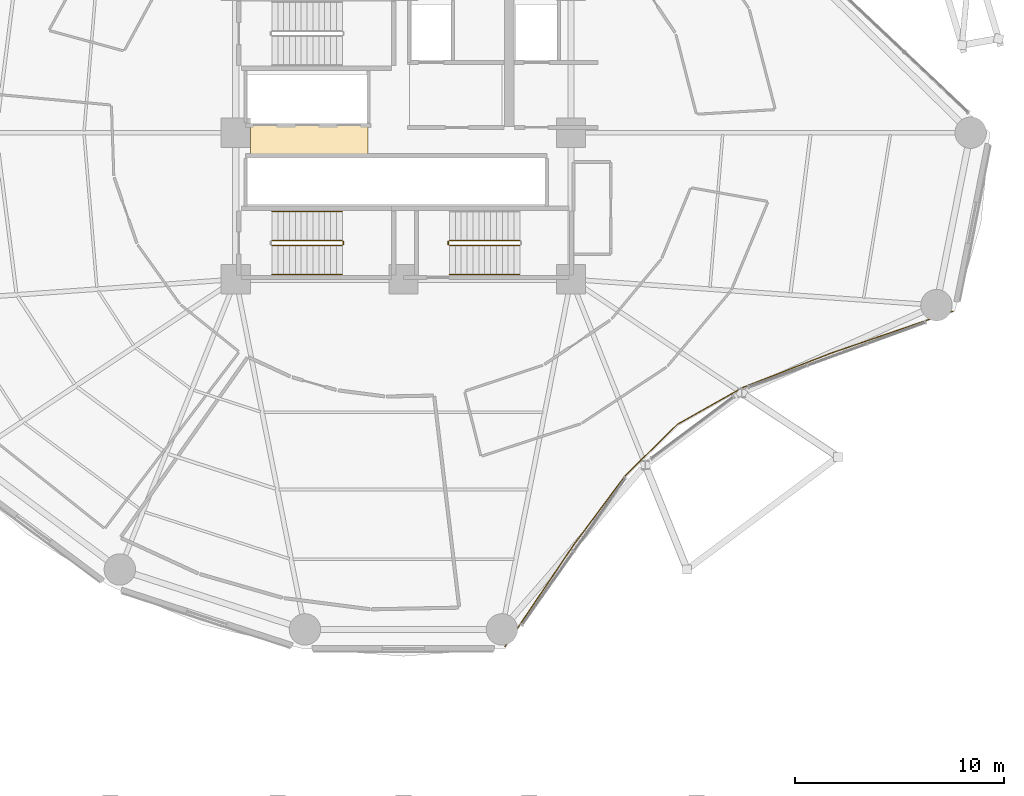
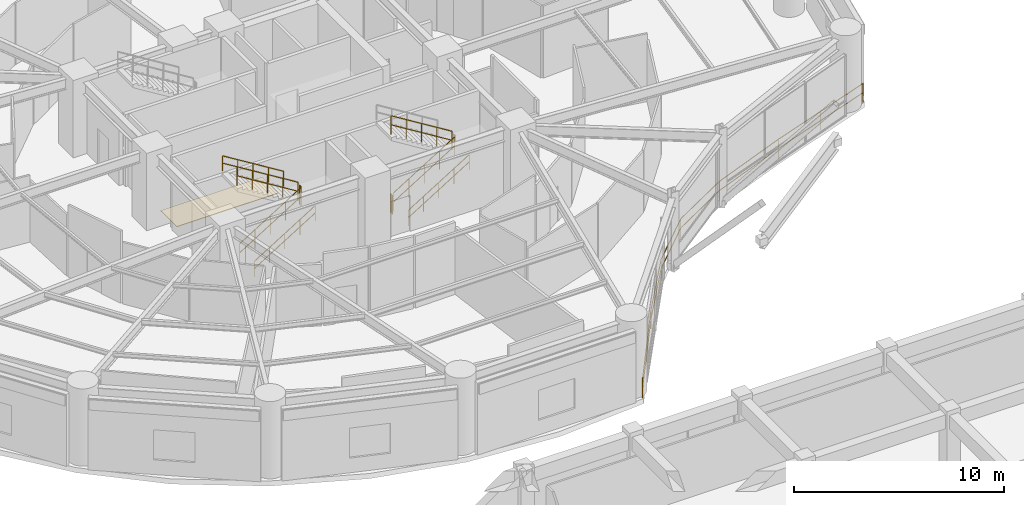
# One storey, part 52 of 55: 10 railings, 1 covering.
"""IFC4 building model written with IfcOpenShell, lengths in metres."""

from ifc_helpers import new_model, si_unit, direction, frame, origin, origin_2d, place, context, subcontext, project, spatial, polyline, rectangle, outline, extrude, source, transform, mapped, material, layer, layer_set, type_object, element, save


model = new_model("IFC4")

# Units and contexts
model_context = context("Model", 3, precision=1e-05, world=origin(), true_north=direction((0.0, 1.0)))
body_context = subcontext(model_context, "Body", "Model", "MODEL_VIEW")
ifc_project = project(units=[si_unit("LENGTHUNIT", "METRE"), si_unit("AREAUNIT", "SQUARE_METRE"), si_unit("VOLUMEUNIT", "CUBIC_METRE"), si_unit("PLANEANGLEUNIT", "RADIAN"), si_unit("MASSUNIT", "GRAM", prefix="KILO")], contexts=[model_context])

# Site, building, storey
site_placement = place(None, origin())
site = spatial("IfcSite", under=ifc_project, at=site_placement, CompositionType="ELEMENT")
building_placement = place(site_placement, origin())
building = spatial("IfcBuilding", under=site, at=building_placement, Name="Kelanora Arch Commons", CompositionType="ELEMENT")
storey_placement = place(building_placement, frame((0.0, 0.0, 4.5)))
storey = spatial("IfcBuildingStorey", under=building, at=storey_placement, Name="L01", CompositionType="ELEMENT", Elevation=4.5)

# Railings
ifc_material_1 = material(Name="Laminated glass and stainless steel balustrade", Category="steel")
railing_type_1 = type_object("IfcRailingType", Name="RAIL-BAL-112", PredefinedType="BALUSTRADE", material=ifc_material_1)
railing_1_placement = place(storey_placement, frame((78.8466796875, 33.458251953125, 0.0)))
element("IfcRailing", 1, at=railing_1_placement, inside=storey, type_object=railing_type_1, Name="Concave Courtyard Overlook Balustrade L01-SE", PredefinedType="BALUSTRADE", context=body_context, shape_type="SweptSolid", body=[
    extrude(outline(polyline([(0.02392578125, 0.0), (0.011962890625, 0.020751953125), (-0.011962890625, 0.020751953125), (-0.02392578125, 0.0), (-0.011962890625, -0.020751953125), (0.011962890625, -0.020751953125), (0.02392578125, 0.0)])), frame((0.0, 0.0, 1.09619140625), z_axis=(0.559131486201, 0.829078995716, 0.0), x_axis=(-0.829078995716, 0.559131486201, 0.0)), (0.0, 0.0, 1.0), 5.749267578125),
    extrude(outline(polyline([(0.02392578125, 0.0), (0.011962890625, 0.020751953125), (-0.011962890625, 0.020751953125), (-0.02392578125, 0.0), (-0.011962890625, -0.020751953125), (0.011962890625, -0.020751953125), (0.02392578125, 0.0)])), frame((0.0, 0.0, 0.56005859375), z_axis=(0.559131486201, 0.829078995716, 0.0), x_axis=(-0.829078995716, 0.559131486201, 0.0)), (0.0, 0.0, 1.0), 5.749267578125),
    extrude(outline(polyline([(0.02392578125, 0.0), (0.011962890625, 0.020751953125), (-0.011962890625, 0.020751953125), (-0.02392578125, 0.0), (-0.011962890625, -0.020751953125), (0.011962890625, -0.020751953125), (0.02392578125, 0.0)])), frame((3.214599609375, 4.7666015625, 1.09619140625), z_axis=(0.596176535715, 0.802853372829, 0.0), x_axis=(-0.802853372829, 0.596176535715, 0.0)), (0.0, 0.0, 1.0), 4.2373046875),
    extrude(outline(polyline([(0.02392578125, 0.0), (0.011962890625, 0.020751953125), (-0.011962890625, 0.020751953125), (-0.02392578125, 0.0), (-0.011962890625, -0.020751953125), (0.011962890625, -0.020751953125), (0.02392578125, 0.0)])), frame((3.214599609375, 4.7666015625, 0.56005859375), z_axis=(0.596176535715, 0.802853372829, 0.0), x_axis=(-0.802853372829, 0.596176535715, 0.0)), (0.0, 0.0, 1.0), 4.2373046875),
    extrude(outline(polyline([(0.02392578125, 0.0), (0.011962890625, 0.020751953125), (-0.011962890625, 0.020751953125), (-0.02392578125, 0.0), (-0.011962890625, -0.020751953125), (0.011962890625, -0.020751953125), (0.02392578125, 0.0)])), frame((5.74072265625, 8.16845703125, 1.09619140625), z_axis=(0.713532255383, 0.700622380836, 0.0), x_axis=(-0.700622380836, 0.713532255383, 0.0)), (0.0, 0.0, 1.0), 3.49853515625),
    extrude(outline(polyline([(0.02392578125, 0.0), (0.011962890625, 0.020751953125), (-0.011962890625, 0.020751953125), (-0.02392578125, 0.0), (-0.011962890625, -0.020751953125), (0.011962890625, -0.020751953125), (0.02392578125, 0.0)])), frame((5.74072265625, 8.16845703125, 0.56005859375), z_axis=(0.713532255383, 0.700622380836, 0.0), x_axis=(-0.700622380836, 0.713532255383, 0.0)), (0.0, 0.0, 1.0), 3.49853515625),
    extrude(outline(polyline([(0.02392578125, 0.0), (0.011962890625, 0.020751953125), (-0.011962890625, 0.020751953125), (-0.02392578125, 0.0), (-0.011962890625, -0.020751953125), (0.011962890625, -0.020751953125), (0.02392578125, 0.0)])), frame((8.237060546875, 10.61962890625, 1.09619140625), z_axis=(0.871394516136, 0.490582915772, 0.0), x_axis=(-0.490582915772, 0.871394516136, 0.0)), (0.0, 0.0, 1.0), 3.60302734375),
    extrude(outline(polyline([(0.02392578125, 0.0), (0.011962890625, 0.020751953125), (-0.011962890625, 0.020751953125), (-0.02392578125, 0.0), (-0.011962890625, -0.020751953125), (0.011962890625, -0.020751953125), (0.02392578125, 0.0)])), frame((8.237060546875, 10.61962890625, 0.56005859375), z_axis=(0.871394516136, 0.490582915772, 0.0), x_axis=(-0.490582915772, 0.871394516136, 0.0)), (0.0, 0.0, 1.0), 3.60302734375),
    extrude(outline(polyline([(0.02392578125, 0.0), (0.011962890625, 0.020751953125), (-0.011962890625, 0.020751953125), (-0.02392578125, 0.0), (-0.011962890625, -0.020751953125), (0.011962890625, -0.020751953125), (0.02392578125, 0.0)])), frame((11.376708984375, 12.38720703125, 1.09619140625), z_axis=(0.932102395452, 0.362194870744, 0.0), x_axis=(-0.362194870744, 0.932102395452, 0.0)), (0.0, 0.0, 1.0), 4.499267578125),
    extrude(outline(polyline([(0.02392578125, 0.0), (0.011962890625, 0.020751953125), (-0.011962890625, 0.020751953125), (-0.02392578125, 0.0), (-0.011962890625, -0.020751953125), (0.011962890625, -0.020751953125), (0.02392578125, 0.0)])), frame((11.376708984375, 12.38720703125, 0.56005859375), z_axis=(0.932102395452, 0.362194870744, 0.0), x_axis=(-0.362194870744, 0.932102395452, 0.0)), (0.0, 0.0, 1.0), 4.499267578125),
    extrude(outline(polyline([(0.02392578125, 0.0), (0.011962890625, 0.020751953125), (-0.011962890625, 0.020751953125), (-0.02392578125, 0.0), (-0.011962890625, -0.020751953125), (0.011962890625, -0.020751953125), (0.02392578125, 0.0)])), frame((15.570556640625, 14.016845703125, 1.09619140625), z_axis=(0.945734245853, 0.324941127315, 0.0), x_axis=(-0.324941127315, 0.945734245853, 0.0)), (0.0, 0.0, 1.0), 6.15185546875),
    extrude(outline(polyline([(0.02392578125, 0.0), (0.011962890625, 0.020751953125), (-0.011962890625, 0.020751953125), (-0.02392578125, 0.0), (-0.011962890625, -0.020751953125), (0.011962890625, -0.020751953125), (0.02392578125, 0.0)])), frame((15.570556640625, 14.016845703125, 0.56005859375), z_axis=(0.945734245853, 0.324941127315, 0.0), x_axis=(-0.324941127315, 0.945734245853, 0.0)), (0.0, 0.0, 1.0), 6.15185546875),
    extrude(outline(polyline([(0.02099609375, 0.0), (0.010498046875, 0.01806640625), (-0.010498046875, 0.01806640625), (-0.02099609375, 0.0), (-0.010498046875, -0.01806640625), (0.010498046875, -0.01806640625), (0.02099609375, 0.0)])), origin(), (0.0, 0.0, 1.0), 1.072021484375),
    extrude(outline(polyline([(0.02099609375, 0.0), (0.010498046875, 0.01806640625), (-0.010498046875, 0.01806640625), (-0.02099609375, 0.0), (-0.010498046875, -0.01806640625), (0.010498046875, -0.01806640625), (0.02099609375, 0.0)])), frame((1.607421875, 2.38330078125, 0.0)), (0.0, 0.0, 1.0), 1.072021484375),
    extrude(outline(polyline([(0.02099609375, 0.0), (0.010498046875, 0.01806640625), (-0.010498046875, 0.01806640625), (-0.02099609375, 0.0), (-0.010498046875, -0.01806640625), (0.010498046875, -0.01806640625), (0.02099609375, 0.0)])), frame((3.214599609375, 4.7666015625, 0.0)), (0.0, 0.0, 1.0), 1.072021484375),
    extrude(outline(polyline([(0.02099609375, 0.0), (0.010498046875, 0.01806640625), (-0.010498046875, 0.01806640625), (-0.02099609375, 0.0), (-0.010498046875, -0.01806640625), (0.010498046875, -0.01806640625), (0.02099609375, 0.0)])), frame((5.74072265625, 8.16845703125, 0.0)), (0.0, 0.0, 1.0), 1.072021484375),
    extrude(outline(polyline([(0.02099609375, 0.0), (0.010498046875, 0.01806640625), (-0.010498046875, 0.01806640625), (-0.02099609375, 0.0), (-0.010498046875, -0.01806640625), (0.010498046875, -0.01806640625), (0.02099609375, 0.0)])), frame((8.237060546875, 10.61962890625, 0.0)), (0.0, 0.0, 1.0), 1.072021484375),
    extrude(outline(polyline([(0.02099609375, 0.0), (0.010498046875, 0.01806640625), (-0.010498046875, 0.01806640625), (-0.02099609375, 0.0), (-0.010498046875, -0.01806640625), (0.010498046875, -0.01806640625), (0.02099609375, 0.0)])), frame((11.376708984375, 12.38720703125, 0.0)), (0.0, 0.0, 1.0), 1.072021484375),
    extrude(outline(polyline([(0.02099609375, 0.0), (0.010498046875, 0.01806640625), (-0.010498046875, 0.01806640625), (-0.02099609375, 0.0), (-0.010498046875, -0.01806640625), (0.010498046875, -0.01806640625), (0.02099609375, 0.0)])), frame((15.570556640625, 14.016845703125, 0.0)), (0.0, 0.0, 1.0), 1.072021484375),
    extrude(outline(polyline([(0.02099609375, 0.0), (0.010498046875, 0.01806640625), (-0.010498046875, 0.01806640625), (-0.02099609375, 0.0), (-0.010498046875, -0.01806640625), (0.010498046875, -0.01806640625), (0.02099609375, 0.0)])), frame((18.4794921875, 15.016357421875, 0.0)), (0.0, 0.0, 1.0), 1.072021484375),
    extrude(outline(polyline([(0.02099609375, 0.0), (0.010498046875, 0.01806640625), (-0.010498046875, 0.01806640625), (-0.02099609375, 0.0), (-0.010498046875, -0.01806640625), (0.010498046875, -0.01806640625), (0.02099609375, 0.0)])), frame((21.388671875, 16.015869140625, 0.0)), (0.0, 0.0, 1.0), 1.072021484375),
])
ifc_material_2 = material(Name="Painted steel stair well guard", Category="steel")
railing_type_2 = type_object("IfcRailingType", Name="RAIL-STAIR-GRD", PredefinedType="GUARDRAIL", material=ifc_material_2)
railing_2_placement = place(storey_placement, frame((76.199951171875, 52.610107421875, 0.173095703125)))
element("IfcRailing", 2, at=railing_2_placement, inside=storey, type_object=railing_type_2, Name="L01 ST-T2 stair guard 1", PredefinedType="GUARDRAIL", context=body_context, shape_type="SweptSolid", body=[
    extrude(outline(polyline([(0.02392578125, 0.0), (0.011962890625, 0.020751953125), (-0.011962890625, 0.020751953125), (-0.02392578125, 0.0), (-0.011962890625, -0.020751953125), (0.011962890625, -0.020751953125), (0.02392578125, 0.0)])), frame((0.0, 0.0, 1.076171875), z_axis=(0.850623216509, 0.0, 0.525775754039), x_axis=(0.0, 1.0, 0.0)), (0.0, 0.0, 1.0), 3.9501953125),
    extrude(outline(polyline([(0.02392578125, 0.0), (0.011962890625, 0.020751953125), (-0.011962890625, 0.020751953125), (-0.02392578125, 0.0), (-0.011962890625, -0.020751953125), (0.011962890625, -0.020751953125), (0.02392578125, 0.0)])), frame((0.0, 0.0, 0.550048828125), z_axis=(0.850623216509, 0.0, 0.525775754039), x_axis=(0.0, 1.0, 0.0)), (0.0, 0.0, 1.0), 3.9501953125),
    extrude(outline(polyline([(0.02099609375, 0.0), (0.010498046875, 0.01806640625), (-0.010498046875, 0.01806640625), (-0.02099609375, 0.0), (-0.010498046875, -0.01806640625), (0.010498046875, -0.01806640625), (0.02099609375, 0.0)])), origin(), (0.0, 0.0, 1.0), 1.052001953125),
    extrude(outline(polyline([(0.02099609375, 0.0), (0.010498046875, 0.01806640625), (-0.010498046875, 0.01806640625), (-0.02099609375, 0.0), (-0.010498046875, -0.01806640625), (0.010498046875, -0.01806640625), (0.02099609375, 0.0)])), frame((0.840087890625, 0.0, 0.519287109375)), (0.0, 0.0, 1.0), 1.052001953125),
    extrude(outline(polyline([(0.02099609375, 0.0), (0.010498046875, 0.01806640625), (-0.010498046875, 0.01806640625), (-0.02099609375, 0.0), (-0.010498046875, -0.01806640625), (0.010498046875, -0.01806640625), (0.02099609375, 0.0)])), frame((1.68017578125, 0.0, 1.03857421875)), (0.0, 0.0, 1.0), 1.052001953125),
    extrude(outline(polyline([(0.02099609375, 0.0), (0.010498046875, 0.01806640625), (-0.010498046875, 0.01806640625), (-0.02099609375, 0.0), (-0.010498046875, -0.01806640625), (0.010498046875, -0.01806640625), (0.02099609375, 0.0)])), frame((2.52001953125, 0.0, 1.5576171875)), (0.0, 0.0, 1.0), 1.052001953125),
    extrude(outline(polyline([(0.02099609375, 0.0), (0.010498046875, 0.01806640625), (-0.010498046875, 0.01806640625), (-0.02099609375, 0.0), (-0.010498046875, -0.01806640625), (0.010498046875, -0.01806640625), (0.02099609375, 0.0)])), frame((3.360107421875, 0.0, 2.076904296875)), (0.0, 0.0, 1.0), 1.052001953125),
])
railing_3_placement = place(storey_placement, frame((79.56005859375, 52.860107421875, 2.423095703125)))
element("IfcRailing", 3, at=railing_3_placement, inside=storey, type_object=railing_type_2, Name="L01 ST-T2 stair guard 3", PredefinedType="GUARDRAIL", context=body_context, shape_type="SweptSolid", body=[
    extrude(outline(polyline([(0.02392578125, 0.0), (0.011962890625, 0.020751953125), (-0.011962890625, 0.020751953125), (-0.02392578125, 0.0), (-0.011962890625, -0.020751953125), (0.011962890625, -0.020751953125), (0.02392578125, 0.0)])), frame((0.0, 0.0, 1.076171875), z_axis=(-0.850623216509, 0.0, 0.525775754039), x_axis=(0.0, -1.0, 0.0)), (0.0, 0.0, 1.0), 3.9501953125),
    extrude(outline(polyline([(0.02392578125, 0.0), (0.011962890625, 0.020751953125), (-0.011962890625, 0.020751953125), (-0.02392578125, 0.0), (-0.011962890625, -0.020751953125), (0.011962890625, -0.020751953125), (0.02392578125, 0.0)])), frame((0.0, 0.0, 0.550048828125), z_axis=(-0.850623216509, 0.0, 0.525775754039), x_axis=(0.0, -1.0, 0.0)), (0.0, 0.0, 1.0), 3.9501953125),
    extrude(outline(polyline([(0.02099609375, 0.0), (0.010498046875, 0.01806640625), (-0.010498046875, 0.01806640625), (-0.02099609375, 0.0), (-0.010498046875, -0.01806640625), (0.010498046875, -0.01806640625), (0.02099609375, 0.0)])), origin(), (0.0, 0.0, 1.0), 1.052001953125),
    extrude(outline(polyline([(0.02099609375, 0.0), (0.010498046875, 0.01806640625), (-0.010498046875, 0.01806640625), (-0.02099609375, 0.0), (-0.010498046875, -0.01806640625), (0.010498046875, -0.01806640625), (0.02099609375, 0.0)])), frame((-0.840087890625, 0.0, 0.519287109375)), (0.0, 0.0, 1.0), 1.052001953125),
    extrude(outline(polyline([(0.02099609375, 0.0), (0.010498046875, 0.01806640625), (-0.010498046875, 0.01806640625), (-0.02099609375, 0.0), (-0.010498046875, -0.01806640625), (0.010498046875, -0.01806640625), (0.02099609375, 0.0)])), frame((-1.68017578125, 0.0, 1.03857421875)), (0.0, 0.0, 1.0), 1.052001953125),
    extrude(outline(polyline([(0.02099609375, 0.0), (0.010498046875, 0.01806640625), (-0.010498046875, 0.01806640625), (-0.02099609375, 0.0), (-0.010498046875, -0.01806640625), (0.010498046875, -0.01806640625), (0.02099609375, 0.0)])), frame((-2.52001953125, 0.0, 1.5576171875)), (0.0, 0.0, 1.0), 1.052001953125),
    extrude(outline(polyline([(0.02099609375, 0.0), (0.010498046875, 0.01806640625), (-0.010498046875, 0.01806640625), (-0.02099609375, 0.0), (-0.010498046875, -0.01806640625), (0.010498046875, -0.01806640625), (0.02099609375, 0.0)])), frame((-3.360107421875, 0.0, 2.076904296875)), (0.0, 0.0, 1.0), 1.052001953125),
])
railing_4_placement = place(storey_placement, frame((76.14990234375, 52.659912109375, 0.0)))
element("IfcRailing", 4, at=railing_4_placement, inside=storey, type_object=railing_type_2, Name="L01 ST-T2 stair guard 4", PredefinedType="GUARDRAIL", context=body_context, shape_type="SweptSolid", body=[
    extrude(outline(polyline([(0.02392578125, 0.0), (0.011962890625, 0.020751953125), (-0.011962890625, 0.020751953125), (-0.02392578125, 0.0), (-0.011962890625, -0.020751953125), (0.011962890625, -0.020751953125), (0.02392578125, 0.0)])), frame((0.0, 0.0, 1.076171875), z_axis=(0.0, 1.0, 0.0), x_axis=(-1.0, 0.0, 0.0)), (0.0, 0.0, 1.0), 0.150146484375),
    extrude(outline(polyline([(0.02392578125, 0.0), (0.011962890625, 0.020751953125), (-0.011962890625, 0.020751953125), (-0.02392578125, 0.0), (-0.011962890625, -0.020751953125), (0.011962890625, -0.020751953125), (0.02392578125, 0.0)])), frame((0.0, 0.0, 0.550048828125), z_axis=(0.0, 1.0, 0.0), x_axis=(-1.0, 0.0, 0.0)), (0.0, 0.0, 1.0), 0.150146484375),
    extrude(outline(polyline([(0.02099609375, 0.0), (0.010498046875, 0.01806640625), (-0.010498046875, 0.01806640625), (-0.02099609375, 0.0), (-0.010498046875, -0.01806640625), (0.010498046875, -0.01806640625), (0.02099609375, 0.0)])), origin(), (0.0, 0.0, 1.0), 1.052001953125),
    extrude(outline(polyline([(0.02099609375, 0.0), (0.010498046875, 0.01806640625), (-0.010498046875, 0.01806640625), (-0.02099609375, 0.0), (-0.010498046875, -0.01806640625), (0.010498046875, -0.01806640625), (0.02099609375, 0.0)])), frame((0.0, 0.150146484375, 0.0)), (0.0, 0.0, 1.0), 1.052001953125),
])
railing_5_placement = place(storey_placement, frame((67.719970703125, 52.610107421875, 0.173095703125)))
element("IfcRailing", 5, at=railing_5_placement, inside=storey, type_object=railing_type_2, Name="L01 ST-T3 stair guard 1", PredefinedType="GUARDRAIL", context=body_context, shape_type="SweptSolid", body=[
    extrude(outline(polyline([(0.02392578125, 0.0), (0.011962890625, 0.020751953125), (-0.011962890625, 0.020751953125), (-0.02392578125, 0.0), (-0.011962890625, -0.020751953125), (0.011962890625, -0.020751953125), (0.02392578125, 0.0)])), frame((0.0, 0.0, 1.076171875), z_axis=(0.850623216509, 0.0, 0.525775754039), x_axis=(0.0, 1.0, 0.0)), (0.0, 0.0, 1.0), 3.9501953125),
    extrude(outline(polyline([(0.02392578125, 0.0), (0.011962890625, 0.020751953125), (-0.011962890625, 0.020751953125), (-0.02392578125, 0.0), (-0.011962890625, -0.020751953125), (0.011962890625, -0.020751953125), (0.02392578125, 0.0)])), frame((0.0, 0.0, 0.550048828125), z_axis=(0.850623216509, 0.0, 0.525775754039), x_axis=(0.0, 1.0, 0.0)), (0.0, 0.0, 1.0), 3.9501953125),
    extrude(outline(polyline([(0.02099609375, 0.0), (0.010498046875, 0.01806640625), (-0.010498046875, 0.01806640625), (-0.02099609375, 0.0), (-0.010498046875, -0.01806640625), (0.010498046875, -0.01806640625), (0.02099609375, 0.0)])), origin(), (0.0, 0.0, 1.0), 1.052001953125),
    extrude(outline(polyline([(0.02099609375, 0.0), (0.010498046875, 0.01806640625), (-0.010498046875, 0.01806640625), (-0.02099609375, 0.0), (-0.010498046875, -0.01806640625), (0.010498046875, -0.01806640625), (0.02099609375, 0.0)])), frame((0.840087890625, 0.0, 0.519287109375)), (0.0, 0.0, 1.0), 1.052001953125),
    extrude(outline(polyline([(0.02099609375, 0.0), (0.010498046875, 0.01806640625), (-0.010498046875, 0.01806640625), (-0.02099609375, 0.0), (-0.010498046875, -0.01806640625), (0.010498046875, -0.01806640625), (0.02099609375, 0.0)])), frame((1.68017578125, 0.0, 1.03857421875)), (0.0, 0.0, 1.0), 1.052001953125),
    extrude(outline(polyline([(0.02099609375, 0.0), (0.010498046875, 0.01806640625), (-0.010498046875, 0.01806640625), (-0.02099609375, 0.0), (-0.010498046875, -0.01806640625), (0.010498046875, -0.01806640625), (0.02099609375, 0.0)])), frame((2.52001953125, 0.0, 1.5576171875)), (0.0, 0.0, 1.0), 1.052001953125),
    extrude(outline(polyline([(0.02099609375, 0.0), (0.010498046875, 0.01806640625), (-0.010498046875, 0.01806640625), (-0.02099609375, 0.0), (-0.010498046875, -0.01806640625), (0.010498046875, -0.01806640625), (0.02099609375, 0.0)])), frame((3.360107421875, 0.0, 2.076904296875)), (0.0, 0.0, 1.0), 1.052001953125),
])
railing_6_placement = place(storey_placement, frame((71.1298828125, 52.659912109375, 2.25)))
element("IfcRailing", 6, at=railing_6_placement, inside=storey, type_object=railing_type_2, Name="L01 ST-T3 stair guard 2", PredefinedType="GUARDRAIL", context=body_context, shape_type="SweptSolid", body=[
    extrude(outline(polyline([(0.02392578125, 0.0), (0.011962890625, 0.020751953125), (-0.011962890625, 0.020751953125), (-0.02392578125, 0.0), (-0.011962890625, -0.020751953125), (0.011962890625, -0.020751953125), (0.02392578125, 0.0)])), frame((0.0, 0.0, 1.076171875), z_axis=(0.0, 1.0, 0.0), x_axis=(-1.0, 0.0, 0.0)), (0.0, 0.0, 1.0), 0.150146484375),
    extrude(outline(polyline([(0.02392578125, 0.0), (0.011962890625, 0.020751953125), (-0.011962890625, 0.020751953125), (-0.02392578125, 0.0), (-0.011962890625, -0.020751953125), (0.011962890625, -0.020751953125), (0.02392578125, 0.0)])), frame((0.0, 0.0, 0.550048828125), z_axis=(0.0, 1.0, 0.0), x_axis=(-1.0, 0.0, 0.0)), (0.0, 0.0, 1.0), 0.150146484375),
    extrude(outline(polyline([(0.02099609375, 0.0), (0.010498046875, 0.01806640625), (-0.010498046875, 0.01806640625), (-0.02099609375, 0.0), (-0.010498046875, -0.01806640625), (0.010498046875, -0.01806640625), (0.02099609375, 0.0)])), origin(), (0.0, 0.0, 1.0), 1.052001953125),
    extrude(outline(polyline([(0.02099609375, 0.0), (0.010498046875, 0.01806640625), (-0.010498046875, 0.01806640625), (-0.02099609375, 0.0), (-0.010498046875, -0.01806640625), (0.010498046875, -0.01806640625), (0.02099609375, 0.0)])), frame((0.0, 0.150146484375, 0.0)), (0.0, 0.0, 1.0), 1.052001953125),
])
railing_7_placement = place(storey_placement, frame((71.080078125, 52.860107421875, 2.423095703125)))
element("IfcRailing", 7, at=railing_7_placement, inside=storey, type_object=railing_type_2, Name="L01 ST-T3 stair guard 3", PredefinedType="GUARDRAIL", context=body_context, shape_type="SweptSolid", body=[
    extrude(outline(polyline([(0.02392578125, 0.0), (0.011962890625, 0.020751953125), (-0.011962890625, 0.020751953125), (-0.02392578125, 0.0), (-0.011962890625, -0.020751953125), (0.011962890625, -0.020751953125), (0.02392578125, 0.0)])), frame((0.0, 0.0, 1.076171875), z_axis=(-0.850623216509, 0.0, 0.525775754039), x_axis=(0.0, -1.0, 0.0)), (0.0, 0.0, 1.0), 3.9501953125),
    extrude(outline(polyline([(0.02392578125, 0.0), (0.011962890625, 0.020751953125), (-0.011962890625, 0.020751953125), (-0.02392578125, 0.0), (-0.011962890625, -0.020751953125), (0.011962890625, -0.020751953125), (0.02392578125, 0.0)])), frame((0.0, 0.0, 0.550048828125), z_axis=(-0.850623216509, 0.0, 0.525775754039), x_axis=(0.0, -1.0, 0.0)), (0.0, 0.0, 1.0), 3.9501953125),
    extrude(outline(polyline([(0.02099609375, 0.0), (0.010498046875, 0.01806640625), (-0.010498046875, 0.01806640625), (-0.02099609375, 0.0), (-0.010498046875, -0.01806640625), (0.010498046875, -0.01806640625), (0.02099609375, 0.0)])), origin(), (0.0, 0.0, 1.0), 1.052001953125),
    extrude(outline(polyline([(0.02099609375, 0.0), (0.010498046875, 0.01806640625), (-0.010498046875, 0.01806640625), (-0.02099609375, 0.0), (-0.010498046875, -0.01806640625), (0.010498046875, -0.01806640625), (0.02099609375, 0.0)])), frame((-0.840087890625, 0.0, 0.519287109375)), (0.0, 0.0, 1.0), 1.052001953125),
    extrude(outline(polyline([(0.02099609375, 0.0), (0.010498046875, 0.01806640625), (-0.010498046875, 0.01806640625), (-0.02099609375, 0.0), (-0.010498046875, -0.01806640625), (0.010498046875, -0.01806640625), (0.02099609375, 0.0)])), frame((-1.68017578125, 0.0, 1.03857421875)), (0.0, 0.0, 1.0), 1.052001953125),
    extrude(outline(polyline([(0.02099609375, 0.0), (0.010498046875, 0.01806640625), (-0.010498046875, 0.01806640625), (-0.02099609375, 0.0), (-0.010498046875, -0.01806640625), (0.010498046875, -0.01806640625), (0.02099609375, 0.0)])), frame((-2.52001953125, 0.0, 1.5576171875)), (0.0, 0.0, 1.0), 1.052001953125),
    extrude(outline(polyline([(0.02099609375, 0.0), (0.010498046875, 0.01806640625), (-0.010498046875, 0.01806640625), (-0.02099609375, 0.0), (-0.010498046875, -0.01806640625), (0.010498046875, -0.01806640625), (0.02099609375, 0.0)])), frame((-3.360107421875, 0.0, 2.076904296875)), (0.0, 0.0, 1.0), 1.052001953125),
])
ifc_material_3 = material(Name="Brushed stainless steel stair handrail", Category="steel")
railing_type_3 = type_object("IfcRailingType", Name="RAIL-STAIR-HND", PredefinedType="HANDRAIL", material=ifc_material_3)
railing_8_placement = place(storey_placement, frame((76.199951171875, 51.22998046875, 0.173095703125)))
element("IfcRailing", 8, at=railing_8_placement, inside=storey, type_object=railing_type_3, Name="L01 ST-T2 stair handrail 1", PredefinedType="HANDRAIL", context=body_context, shape_type="SweptSolid", body=[
    extrude(outline(polyline([(0.02392578125, 0.0), (0.011962890625, 0.020751953125), (-0.011962890625, 0.020751953125), (-0.02392578125, 0.0), (-0.011962890625, -0.020751953125), (0.011962890625, -0.020751953125), (0.02392578125, 0.0)])), frame((0.0, 0.0, 0.8759765625), z_axis=(0.850623216509, 0.0, 0.525775754039), x_axis=(0.0, 1.0, 0.0)), (0.0, 0.0, 1.0), 3.9501953125),
    extrude(outline(polyline([(0.02392578125, 0.0), (0.011962890625, 0.020751953125), (-0.011962890625, 0.020751953125), (-0.02392578125, 0.0), (-0.011962890625, -0.020751953125), (0.011962890625, -0.020751953125), (0.02392578125, 0.0)])), frame((0.0, 0.0, 0.449951171875), z_axis=(0.850623216509, 0.0, 0.525775754039), x_axis=(0.0, 1.0, 0.0)), (0.0, 0.0, 1.0), 3.9501953125),
    extrude(outline(polyline([(0.02099609375, 0.0), (0.010498046875, 0.01806640625), (-0.010498046875, 0.01806640625), (-0.02099609375, 0.0), (-0.010498046875, -0.01806640625), (0.010498046875, -0.01806640625), (0.02099609375, 0.0)])), origin(), (0.0, 0.0, 1.0), 0.851806640625),
    extrude(outline(polyline([(0.02099609375, 0.0), (0.010498046875, 0.01806640625), (-0.010498046875, 0.01806640625), (-0.02099609375, 0.0), (-0.010498046875, -0.01806640625), (0.010498046875, -0.01806640625), (0.02099609375, 0.0)])), frame((0.840087890625, 0.0, 0.519287109375)), (0.0, 0.0, 1.0), 0.851806640625),
    extrude(outline(polyline([(0.02099609375, 0.0), (0.010498046875, 0.01806640625), (-0.010498046875, 0.01806640625), (-0.02099609375, 0.0), (-0.010498046875, -0.01806640625), (0.010498046875, -0.01806640625), (0.02099609375, 0.0)])), frame((1.68017578125, 0.0, 1.03857421875)), (0.0, 0.0, 1.0), 0.851806640625),
    extrude(outline(polyline([(0.02099609375, 0.0), (0.010498046875, 0.01806640625), (-0.010498046875, 0.01806640625), (-0.02099609375, 0.0), (-0.010498046875, -0.01806640625), (0.010498046875, -0.01806640625), (0.02099609375, 0.0)])), frame((2.52001953125, 0.0, 1.5576171875)), (0.0, 0.0, 1.0), 0.851806640625),
    extrude(outline(polyline([(0.02099609375, 0.0), (0.010498046875, 0.01806640625), (-0.010498046875, 0.01806640625), (-0.02099609375, 0.0), (-0.010498046875, -0.01806640625), (0.010498046875, -0.01806640625), (0.02099609375, 0.0)])), frame((3.360107421875, 0.0, 2.076904296875)), (0.0, 0.0, 1.0), 0.851806640625),
])
railing_9_placement = place(storey_placement, frame((67.719970703125, 51.22998046875, 0.173095703125)))
element("IfcRailing", 9, at=railing_9_placement, inside=storey, type_object=railing_type_3, Name="L01 ST-T3 stair handrail 1", PredefinedType="HANDRAIL", context=body_context, shape_type="SweptSolid", body=[
    extrude(outline(polyline([(0.02392578125, 0.0), (0.011962890625, 0.020751953125), (-0.011962890625, 0.020751953125), (-0.02392578125, 0.0), (-0.011962890625, -0.020751953125), (0.011962890625, -0.020751953125), (0.02392578125, 0.0)])), frame((0.0, 0.0, 0.8759765625), z_axis=(0.850623216509, 0.0, 0.525775754039), x_axis=(0.0, 1.0, 0.0)), (0.0, 0.0, 1.0), 3.9501953125),
    extrude(outline(polyline([(0.02392578125, 0.0), (0.011962890625, 0.020751953125), (-0.011962890625, 0.020751953125), (-0.02392578125, 0.0), (-0.011962890625, -0.020751953125), (0.011962890625, -0.020751953125), (0.02392578125, 0.0)])), frame((0.0, 0.0, 0.449951171875), z_axis=(0.850623216509, 0.0, 0.525775754039), x_axis=(0.0, 1.0, 0.0)), (0.0, 0.0, 1.0), 3.9501953125),
    extrude(outline(polyline([(0.02099609375, 0.0), (0.010498046875, 0.01806640625), (-0.010498046875, 0.01806640625), (-0.02099609375, 0.0), (-0.010498046875, -0.01806640625), (0.010498046875, -0.01806640625), (0.02099609375, 0.0)])), origin(), (0.0, 0.0, 1.0), 0.851806640625),
    extrude(outline(polyline([(0.02099609375, 0.0), (0.010498046875, 0.01806640625), (-0.010498046875, 0.01806640625), (-0.02099609375, 0.0), (-0.010498046875, -0.01806640625), (0.010498046875, -0.01806640625), (0.02099609375, 0.0)])), frame((0.840087890625, 0.0, 0.519287109375)), (0.0, 0.0, 1.0), 0.851806640625),
    extrude(outline(polyline([(0.02099609375, 0.0), (0.010498046875, 0.01806640625), (-0.010498046875, 0.01806640625), (-0.02099609375, 0.0), (-0.010498046875, -0.01806640625), (0.010498046875, -0.01806640625), (0.02099609375, 0.0)])), frame((1.68017578125, 0.0, 1.03857421875)), (0.0, 0.0, 1.0), 0.851806640625),
    extrude(outline(polyline([(0.02099609375, 0.0), (0.010498046875, 0.01806640625), (-0.010498046875, 0.01806640625), (-0.02099609375, 0.0), (-0.010498046875, -0.01806640625), (0.010498046875, -0.01806640625), (0.02099609375, 0.0)])), frame((2.52001953125, 0.0, 1.5576171875)), (0.0, 0.0, 1.0), 0.851806640625),
    extrude(outline(polyline([(0.02099609375, 0.0), (0.010498046875, 0.01806640625), (-0.010498046875, 0.01806640625), (-0.02099609375, 0.0), (-0.010498046875, -0.01806640625), (0.010498046875, -0.01806640625), (0.02099609375, 0.0)])), frame((3.360107421875, 0.0, 2.076904296875)), (0.0, 0.0, 1.0), 0.851806640625),
])
railing_10_placement = place(storey_placement, frame((71.080078125, 54.239990234375, 2.423095703125)))
element("IfcRailing", 10, at=railing_10_placement, inside=storey, type_object=railing_type_3, Name="L01 ST-T3 stair handrail 2", PredefinedType="HANDRAIL", context=body_context, shape_type="SweptSolid", body=[
    extrude(outline(polyline([(0.02392578125, 0.0), (0.011962890625, 0.020751953125), (-0.011962890625, 0.020751953125), (-0.02392578125, 0.0), (-0.011962890625, -0.020751953125), (0.011962890625, -0.020751953125), (0.02392578125, 0.0)])), frame((0.0, 0.0, 0.8759765625), z_axis=(-0.850623216509, 0.0, 0.525775754039), x_axis=(0.0, -1.0, 0.0)), (0.0, 0.0, 1.0), 3.9501953125),
    extrude(outline(polyline([(0.02392578125, 0.0), (0.011962890625, 0.020751953125), (-0.011962890625, 0.020751953125), (-0.02392578125, 0.0), (-0.011962890625, -0.020751953125), (0.011962890625, -0.020751953125), (0.02392578125, 0.0)])), frame((0.0, 0.0, 0.449951171875), z_axis=(-0.850623216509, 0.0, 0.525775754039), x_axis=(0.0, -1.0, 0.0)), (0.0, 0.0, 1.0), 3.9501953125),
    extrude(outline(polyline([(0.02099609375, 0.0), (0.010498046875, 0.01806640625), (-0.010498046875, 0.01806640625), (-0.02099609375, 0.0), (-0.010498046875, -0.01806640625), (0.010498046875, -0.01806640625), (0.02099609375, 0.0)])), origin(), (0.0, 0.0, 1.0), 0.851806640625),
    extrude(outline(polyline([(0.02099609375, 0.0), (0.010498046875, 0.01806640625), (-0.010498046875, 0.01806640625), (-0.02099609375, 0.0), (-0.010498046875, -0.01806640625), (0.010498046875, -0.01806640625), (0.02099609375, 0.0)])), frame((-0.840087890625, 0.0, 0.519287109375)), (0.0, 0.0, 1.0), 0.851806640625),
    extrude(outline(polyline([(0.02099609375, 0.0), (0.010498046875, 0.01806640625), (-0.010498046875, 0.01806640625), (-0.02099609375, 0.0), (-0.010498046875, -0.01806640625), (0.010498046875, -0.01806640625), (0.02099609375, 0.0)])), frame((-1.68017578125, 0.0, 1.03857421875)), (0.0, 0.0, 1.0), 0.851806640625),
    extrude(outline(polyline([(0.02099609375, 0.0), (0.010498046875, 0.01806640625), (-0.010498046875, 0.01806640625), (-0.02099609375, 0.0), (-0.010498046875, -0.01806640625), (0.010498046875, -0.01806640625), (0.02099609375, 0.0)])), frame((-2.52001953125, 0.0, 1.5576171875)), (0.0, 0.0, 1.0), 0.851806640625),
    extrude(outline(polyline([(0.02099609375, 0.0), (0.010498046875, 0.01806640625), (-0.010498046875, 0.01806640625), (-0.02099609375, 0.0), (-0.010498046875, -0.01806640625), (0.010498046875, -0.01806640625), (0.02099609375, 0.0)])), frame((-3.360107421875, 0.0, 2.076904296875)), (0.0, 0.0, 1.0), 0.851806640625),
])

# Covering
ifc_material_4 = material(Name="Polished local granite terrazzo flooring", Category="masonry")
ifc_layer = layer(ifc_material_4, 0.030029296875)
ifc_layer_set = layer_set([ifc_layer], Name="Polished local granite terrazzo flooring")
covering_type = type_object("IfcCoveringType", Name="COV-FLR-TER", PredefinedType="FLOORING", material=ifc_layer_set)
shared_shape = source(origin(), body_context, "Body", "SweptSolid", [
    extrude(rectangle(XDim=5.60009765625, YDim=1.5400390625, at=origin_2d()), origin(), (0.0, 0.0, 1.0), 0.030029296875),
])
covering_placement = place(storey_placement, frame((69.5, 57.6201171875, 0.0), z_axis=(0.0, 0.0, 1.0), x_axis=(1.0, 0.0, 0.0)))
element("IfcCovering", 11, at=covering_placement, inside=storey, type_object=covering_type, Name="Lift Lobby Terrazzo Flooring L01", PredefinedType="FLOORING", context=body_context, shape_type="MappedRepresentation", body=[
    mapped(shared_shape, transform((0.0, 0.0, 0.0), scale=1.0)),
])

save(model, "model.ifc")
